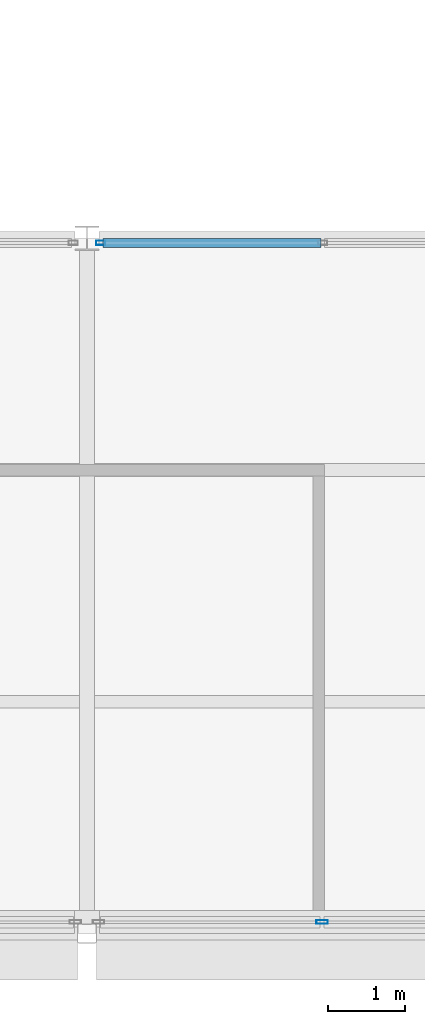
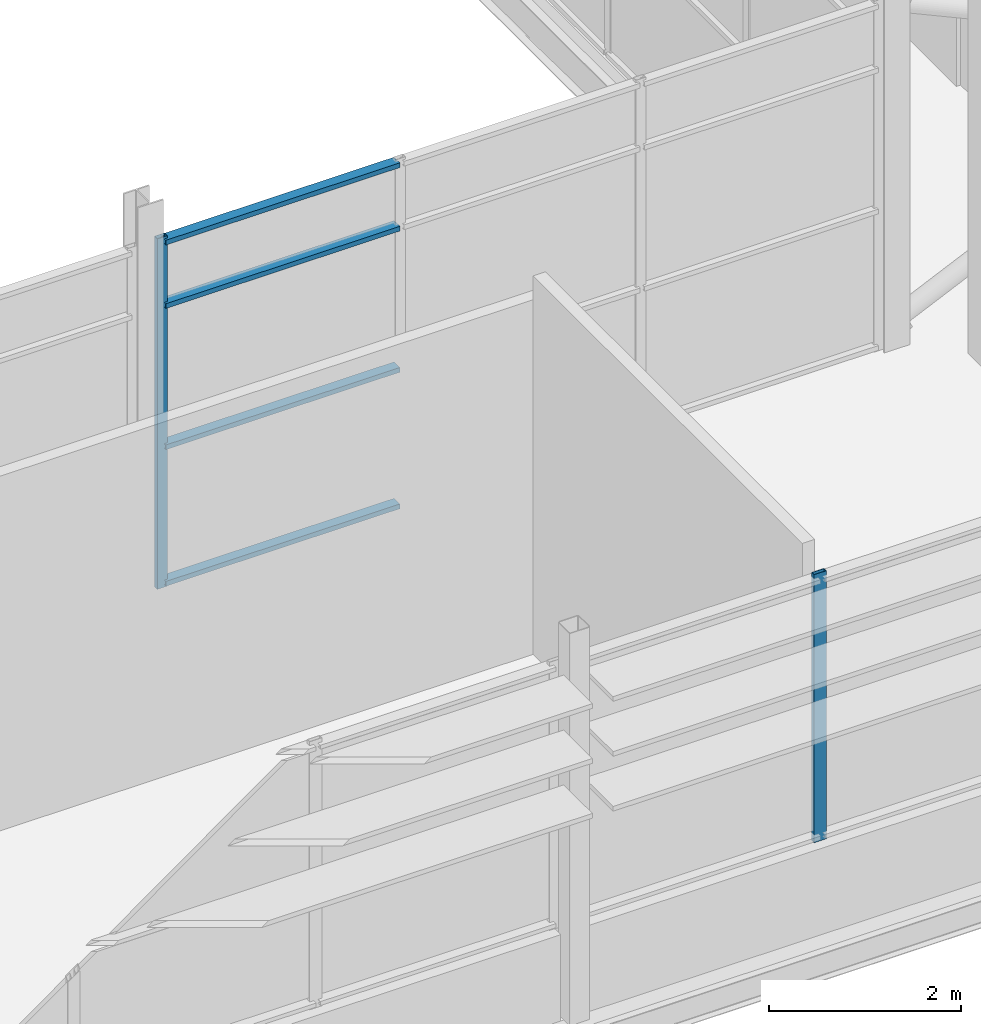
# One storey, part 32 of 61: 6 members, 2 elements without a shape of their own.
"""IFC4 building model written with IfcOpenShell, lengths in metres."""

from ifc_helpers import new_model, si_unit, direction, frame, origin, origin_2d, place, context, subcontext, project, spatial, hollow_rectangle, extrude, material, layer, layer_set, material_profile, profile_set, type_object, element, aggregate, save


model = new_model("IFC4")

# Units and contexts
model_context = context("Model", 3, precision=1e-05, world=origin(), true_north=direction((0.0, 1.0)))
body_context = subcontext(model_context, "Body", "Model", "MODEL_VIEW")
ifc_project = project(units=[si_unit("LENGTHUNIT", "METRE"), si_unit("AREAUNIT", "SQUARE_METRE"), si_unit("VOLUMEUNIT", "CUBIC_METRE"), si_unit("PLANEANGLEUNIT", "RADIAN"), si_unit("MASSUNIT", "GRAM", prefix="KILO")], contexts=[model_context])

# Site, building, storey
site_placement = place(None, origin())
site = spatial("IfcSite", under=ifc_project, at=site_placement, CompositionType="ELEMENT")
building_placement = place(site_placement, origin())
building = spatial("IfcBuilding", under=site, at=building_placement, Name="Shorebreak Coast Museum", CompositionType="ELEMENT")
storey_placement = place(building_placement, frame((0.0, 0.0, 26.0)))
storey = spatial("IfcBuildingStorey", under=building, at=storey_placement, Name="L04", CompositionType="ELEMENT", Elevation=26.0)

# Curtain wall, members
ifc_material_1 = material(Name="Aluminium", Category="aluminium")
ifc_layer_1 = layer(ifc_material_1, 0.1201171875)
ifc_layer_set_1 = layer_set([ifc_layer_1], Name="Aluminium")
curtain_wall_type_1 = type_object("IfcCurtainWallType", Name="Atrium fire screen", PredefinedType="NOTDEFINED", material=ifc_layer_set_1)
curtain_wall_1_placement = place(storey_placement, origin())
curtain_wall_1 = element("IfcCurtainWall", 1, at=curtain_wall_1_placement, inside=storey, type_object=curtain_wall_type_1, Name="Atrium screen L04 S 53", PredefinedType="NOTDEFINED")
ifc_material_2 = material(Name="Aluminium", Category="aluminium")
ifc_material_profile_1 = material_profile(ifc_material_2, hollow_rectangle(XDim=0.06005859375, YDim=0.1201171875, WallThickness=0.00341796875, at=origin_2d()), Name="AL 120x60 RHS")
ifc_profile_set_1 = profile_set([ifc_material_profile_1], Name="Aluminium")
member_type_1 = type_object("IfcMemberType", Name="Screen mullion 50 x 120", PredefinedType="MULLION", material=ifc_profile_set_1)
member_1_placement = place(storey_placement, frame((99.178466796875, 62.93994140625, 0.0), z_axis=(0.0, 0.0, 1.0), x_axis=(0.0, 1.0, 0.0)))
member_1 = element("IfcMember", 2, at=member_1_placement, type_object=member_type_1, Name="CW6 mullion 1", PredefinedType="MULLION", context=body_context, shape_type="SweptSolid", body=[
    extrude(hollow_rectangle(XDim=0.06005859375, YDim=0.1201171875, WallThickness=0.00341796875, at=origin_2d()), origin(), (0.0, 0.0, 1.0), 4.469482421875),
])
ifc_material_3 = material(Name="Aluminium", Category="aluminium")
ifc_material_profile_2 = material_profile(ifc_material_3, hollow_rectangle(XDim=0.1201171875, YDim=0.06005859375, WallThickness=0.00341796875, at=origin_2d()), Name="AL 60x120 RHS")
ifc_profile_set_2 = profile_set([ifc_material_profile_2], Name="Aluminium")
member_type_2 = type_object("IfcMemberType", Name="Screen transom 120 x 50", PredefinedType="USERDEFINED", material=ifc_profile_set_2)
member_2_placement = place(storey_placement, frame((99.20361328125, 62.93994140625, 0.06005859375), z_axis=(1.0, 0.0, 0.0), x_axis=(0.0, 1.0, 0.0)))
member_2 = element("IfcMember", 3, at=member_2_placement, type_object=member_type_2, Name="CW6 transom 1.1", ObjectType="TRANSOM", PredefinedType="USERDEFINED", context=body_context, shape_type="SweptSolid", body=[
    extrude(hollow_rectangle(XDim=0.1201171875, YDim=0.06005859375, WallThickness=0.00341796875, at=origin_2d()), origin(), (0.0, 0.0, 1.0), 2.822509765625),
])
member_3_placement = place(storey_placement, frame((99.20361328125, 62.93994140625, 1.800048828125), z_axis=(1.0, 0.0, 0.0), x_axis=(0.0, 1.0, 0.0)))
member_3 = element("IfcMember", 4, at=member_3_placement, type_object=member_type_2, Name="CW6 transom 1.2", ObjectType="TRANSOM", PredefinedType="USERDEFINED", context=body_context, shape_type="SweptSolid", body=[
    extrude(hollow_rectangle(XDim=0.1201171875, YDim=0.06005859375, WallThickness=0.00341796875, at=origin_2d()), origin(), (0.0, 0.0, 1.0), 2.822509765625),
])
member_4_placement = place(storey_placement, frame((99.20361328125, 62.93994140625, 3.60009765625), z_axis=(1.0, 0.0, 0.0), x_axis=(0.0, 1.0, 0.0)))
member_4 = element("IfcMember", 5, at=member_4_placement, type_object=member_type_2, Name="CW6 transom 1.3", ObjectType="TRANSOM", PredefinedType="USERDEFINED", context=body_context, shape_type="SweptSolid", body=[
    extrude(hollow_rectangle(XDim=0.1201171875, YDim=0.06005859375, WallThickness=0.00341796875, at=origin_2d()), origin(), (0.0, 0.0, 1.0), 2.822509765625),
])
member_5_placement = place(storey_placement, frame((99.20361328125, 62.93994140625, 4.409423828125), z_axis=(1.0, 0.0, 0.0), x_axis=(0.0, 1.0, 0.0)))
member_5 = element("IfcMember", 6, at=member_5_placement, type_object=member_type_2, Name="CW6 transom 1.4", ObjectType="TRANSOM", PredefinedType="USERDEFINED", context=body_context, shape_type="SweptSolid", body=[
    extrude(hollow_rectangle(XDim=0.1201171875, YDim=0.06005859375, WallThickness=0.00341796875, at=origin_2d()), origin(), (0.0, 0.0, 1.0), 2.822509765625),
])
aggregate(curtain_wall_1, [member_1, member_2, member_3, member_4, member_5])

# Curtain wall, member
ifc_material_4 = material(Name="Aluminium", Category="aluminium")
ifc_layer_2 = layer(ifc_material_4, 0.14990234375)
ifc_layer_set_2 = layer_set([ifc_layer_2], Name="Aluminium")
curtain_wall_type_2 = type_object("IfcCurtainWallType", Name="Storefront curtain wall", PredefinedType="NOTDEFINED", material=ifc_layer_set_2)
curtain_wall_2_placement = place(storey_placement, origin())
curtain_wall_2 = element("IfcCurtainWall", 7, at=curtain_wall_2_placement, inside=storey, type_object=curtain_wall_type_2, Name="Atrium Hall glazing L04 S 8", PredefinedType="NOTDEFINED")
ifc_material_5 = material(Name="Aluminium", Category="aluminium")
ifc_material_profile_3 = material_profile(ifc_material_5, hollow_rectangle(XDim=0.050048828125, YDim=0.14990234375, WallThickness=0.00390625, at=origin_2d()), Name="AL 150x50 RHS")
ifc_profile_set_3 = profile_set([ifc_material_profile_3], Name="Aluminium")
member_type_3 = type_object("IfcMemberType", Name="Storefront mullion 50 x 150", PredefinedType="MULLION", material=ifc_profile_set_3)
member_6_placement = place(storey_placement, frame((102.041748046875, 54.14990234375, 1.10009765625), z_axis=(0.0, 0.0, 1.0), x_axis=(0.0, 1.0, 0.0)))
member_6 = element("IfcMember", 8, at=member_6_placement, type_object=member_type_3, Name="CW5 mullion 2", PredefinedType="MULLION", context=body_context, shape_type="SweptSolid", body=[
    extrude(hollow_rectangle(XDim=0.050048828125, YDim=0.14990234375, WallThickness=0.00390625, at=origin_2d()), origin(), (0.0, 0.0, 1.0), 3.417724609375),
])
aggregate(curtain_wall_2, [member_6])

save(model, "model.ifc")
